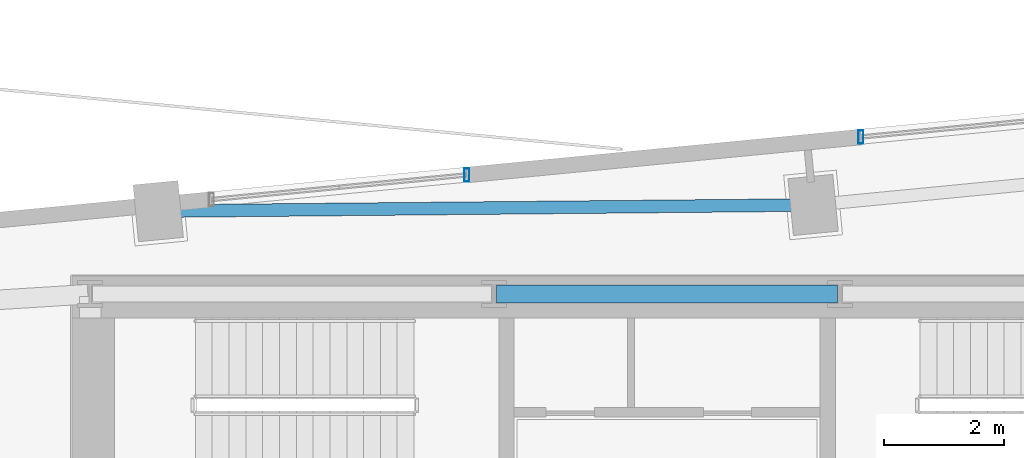
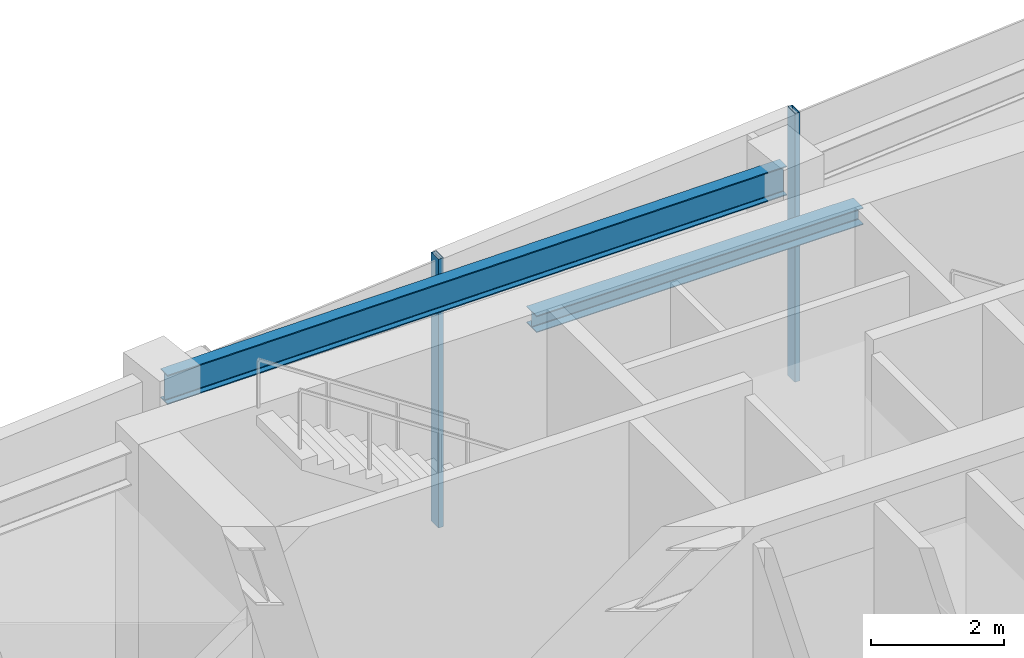
# One storey, part 7 of 21: 2 beams, 2 members, 2 elements without a shape of their own.
"""IFC4 building model written with IfcOpenShell, lengths in metres."""

from ifc_helpers import new_model, si_unit, direction, frame, origin, origin_2d, place, context, subcontext, project, spatial, hollow_rectangle, i_section, extrude, source, transform, mapped, material, material_profile, profile_set, type_object, type_shapes, element, aggregate, save


model = new_model("IFC4")

# Units and contexts
model_context = context("Model", 3, precision=1e-05, world=origin(), true_north=direction((0.0, 1.0)))
body_context = subcontext(model_context, "Body", "Model", "MODEL_VIEW")
ifc_project = project(units=[si_unit("LENGTHUNIT", "METRE"), si_unit("AREAUNIT", "SQUARE_METRE"), si_unit("VOLUMEUNIT", "CUBIC_METRE"), si_unit("PLANEANGLEUNIT", "RADIAN"), si_unit("MASSUNIT", "GRAM", prefix="KILO")], contexts=[model_context])

# Site, building, storey
site_placement = place(None, origin())
site = spatial("IfcSite", under=ifc_project, at=site_placement, CompositionType="ELEMENT")
building_placement = place(site_placement, origin())
building = spatial("IfcBuilding", under=site, at=building_placement, Name="Astriad Promenade Condominiums", CompositionType="ELEMENT")
storey_placement = place(building_placement, frame((0.0, 0.0, 167.800048828125)))
storey = spatial("IfcBuildingStorey", under=building, at=storey_placement, Name="L48", CompositionType="ELEMENT", Elevation=167.800048828125)

# Beams
ifc_material_1 = material(Name="Steel ASTM A992 Grade 50", Category="steel")
ifc_material_profile_1 = material_profile(ifc_material_1, i_section(OverallWidth=0.3046875, OverallDepth=0.307861328125, WebThickness=0.010009765625, FlangeThickness=0.015380859375, FilletRadius=0.01513671875, at=origin_2d()), Name="W12X65")
ifc_profile_set_1 = profile_set([ifc_material_profile_1], Name="Steel ASTM A992 Grade 50")
beam_type_1 = type_object("IfcBeamType", Name="STEEL OPENING LINTEL W12X65", PredefinedType="LINTEL", material=ifc_profile_set_1)
shared_shape_1 = source(origin(), body_context, "Body", "SweptSolid", [
    extrude(i_section(OverallWidth=0.3046875, OverallDepth=0.307861328125, WebThickness=0.010009765625, FlangeThickness=0.015380859375, FilletRadius=0.01513671875, at=origin_2d()), origin(), (0.0, 0.0, 1.0), 5.68017578125),
])
type_shapes(beam_type_1, [shared_shape_1])
beam_1_placement = place(storey_placement, frame((33.159912109375, 24.0, 4.7861328125), z_axis=(1.0, 0.0, 0.0), x_axis=(0.0, 1.0, 0.0)))
element("IfcBeam", 1, at=beam_1_placement, inside=storey, type_object=beam_type_1, Name="Core Ring Beam CG-N2-L48", PredefinedType="LINTEL", context=body_context, shape_type="MappedRepresentation", body=[
    mapped(shared_shape_1, transform((0.0, 0.0, 0.0), scale=1.0)),
])
ifc_material_profile_2 = material_profile(ifc_material_1, i_section(OverallWidth=0.210693359375, OverallDepth=0.53955078125, WebThickness=0.01171875, FlangeThickness=0.018798828125, FilletRadius=0.0166015625, at=origin_2d()), Name="W21X73")
ifc_profile_set_2 = profile_set([ifc_material_profile_2], Name="Steel ASTM A992 Grade 50")
beam_type_2 = type_object("IfcBeamType", Name="STEEL SPANDREL BEAM W21X73", PredefinedType="SPANDREL", material=ifc_profile_set_2)
shared_shape_2 = source(origin(), body_context, "Body", "SweptSolid", [
    extrude(i_section(OverallWidth=0.210693359375, OverallDepth=0.53955078125, WebThickness=0.01171875, FlangeThickness=0.018798828125, FilletRadius=0.0166015625, at=origin_2d()), origin(), (0.0, 0.0, 1.0), 10.820068359375),
])
type_shapes(beam_type_2, [shared_shape_2])
beam_2_placement = place(storey_placement, frame((38.391357421875, 25.482666015625, 4.670166015625), z_axis=(-0.999955308161, -0.009454188553, 0.0), x_axis=(0.009454188553, -0.999955308161, 0.0)))
element("IfcBeam", 2, at=beam_2_placement, inside=storey, type_object=beam_type_2, Name="Perimeter Spandrel Beam SP-N2-L48", PredefinedType="SPANDREL", context=body_context, shape_type="MappedRepresentation", body=[
    mapped(shared_shape_2, transform((0.0, 0.0, 0.0), scale=1.0)),
])

# Curtain wall, member
ifc_material_2 = material(Name="Anodised aluminium Black Dark Glass Unitised", Category="aluminium")
curtain_wall_type = type_object("IfcCurtainWallType", Name="CW-B34-DARK", PredefinedType="USERDEFINED", material=ifc_material_2)
curtain_wall_1_placement = place(storey_placement, origin())
curtain_wall_1 = element("IfcCurtainWall", 3, at=curtain_wall_1_placement, inside=storey, type_object=curtain_wall_type, Name="CW-L48-N-2", ObjectType="UNITISED_CURTAIN_WALL", PredefinedType="USERDEFINED")
ifc_material_3 = material(Name="Anodised aluminium 6063-T6 Black", Category="aluminium")
ifc_material_profile_3 = material_profile(ifc_material_3, hollow_rectangle(XDim=0.0849609375, YDim=0.219970703125, WallThickness=0.0048828125, at=origin_2d()), Name="ALU-MUL-85X220")
ifc_profile_set_3 = profile_set([ifc_material_profile_3], Name="Anodised aluminium 6063-T6 Black")
member_type = type_object("IfcMemberType", Name="MUL-ALU-MUL-85X220", PredefinedType="MULLION", material=ifc_profile_set_3)
shared_shape_3 = source(origin(), body_context, "Body", "SweptSolid", [
    extrude(hollow_rectangle(XDim=0.0849609375, YDim=0.219970703125, WallThickness=0.0048828125, at=origin_2d()), origin(), (0.0, 0.0, 1.0), 4.93994140625),
])
type_shapes(member_type, [shared_shape_3])
member_1_placement = place(storey_placement, frame((32.6669921875, 25.98291015625, 0.0), z_axis=(0.0, 0.0, 1.0), x_axis=(1.0, 0.0, 0.0)))
member_1 = element("IfcMember", 4, at=member_1_placement, type_object=member_type, Name="CW-L48-N-2-MUL-01", PredefinedType="MULLION", context=body_context, shape_type="MappedRepresentation", body=[
    mapped(shared_shape_3, transform((0.0, 0.0, 0.0), scale=1.0)),
])
aggregate(curtain_wall_1, [member_1])

curtain_wall_2_placement = place(storey_placement, origin())
curtain_wall_2 = element("IfcCurtainWall", 5, at=curtain_wall_2_placement, inside=storey, type_object=curtain_wall_type, Name="CW-L48-N-3", ObjectType="UNITISED_CURTAIN_WALL", PredefinedType="USERDEFINED")
member_2_placement = place(storey_placement, frame((39.2265625, 26.614501953125, 0.0), z_axis=(0.0, 0.0, 1.0), x_axis=(1.0, 0.0, 0.0)))
member_2 = element("IfcMember", 6, at=member_2_placement, type_object=member_type, Name="CW-L48-N-3-MUL-00", PredefinedType="MULLION", context=body_context, shape_type="MappedRepresentation", body=[
    mapped(shared_shape_3, transform((0.0, 0.0, 0.0), scale=1.0)),
])
aggregate(curtain_wall_2, [member_2])

save(model, "model.ifc")
